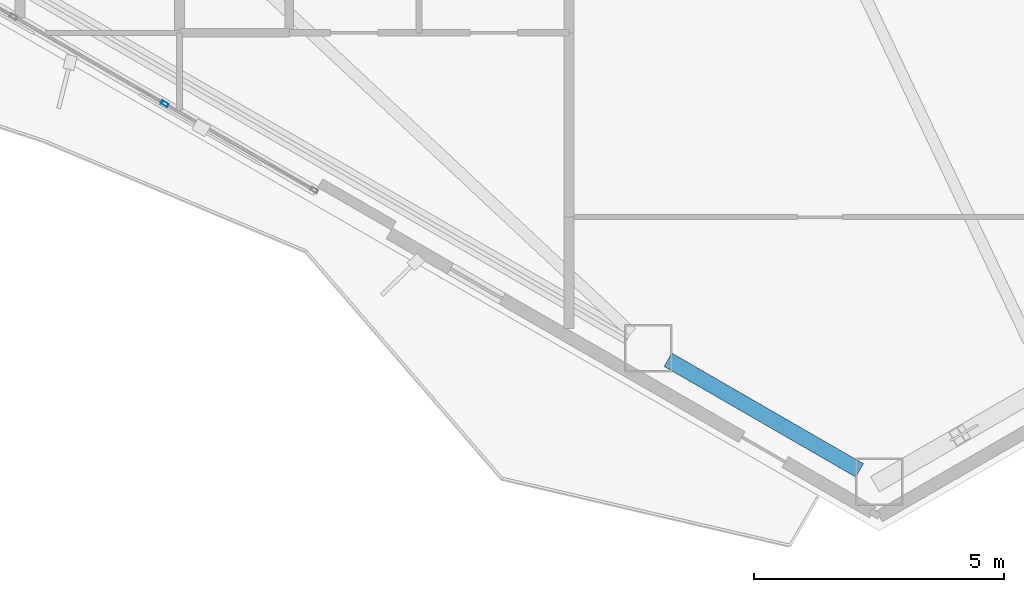
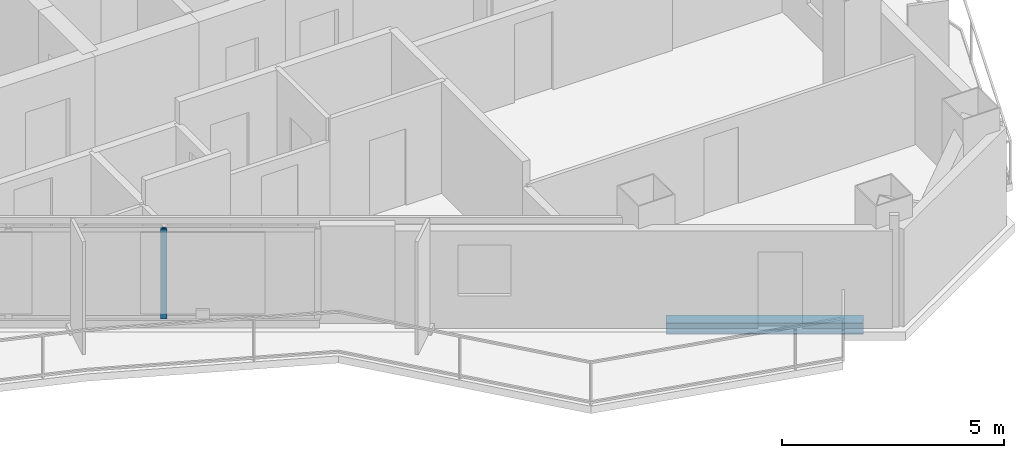
# One storey, part 3 of 18: 1 beam, 1 member, 1 element without a shape of its own.
"""IFC4 building model written with IfcOpenShell, lengths in metres."""

from ifc_helpers import new_model, si_unit, direction, frame, origin, origin_2d, place, context, subcontext, project, spatial, hollow_rectangle, i_section, extrude, material, layer, layer_set, material_profile, profile_set, type_object, element, aggregate, save


model = new_model("IFC4")

# Units and contexts
model_context = context("Model", 3, precision=1e-05, world=origin(), true_north=direction((0.0, 1.0)))
body_context = subcontext(model_context, "Body", "Model", "MODEL_VIEW")
ifc_project = project(units=[si_unit("LENGTHUNIT", "METRE"), si_unit("AREAUNIT", "SQUARE_METRE"), si_unit("VOLUMEUNIT", "CUBIC_METRE"), si_unit("PLANEANGLEUNIT", "RADIAN"), si_unit("MASSUNIT", "GRAM", prefix="KILO")], contexts=[model_context])

# Site, building, storey
site_placement = place(None, origin())
site = spatial("IfcSite", under=ifc_project, at=site_placement, CompositionType="ELEMENT")
building_placement = place(site_placement, origin())
building = spatial("IfcBuilding", under=site, at=building_placement, Name="Mersakhor Tower and Convention Hall", CompositionType="ELEMENT")
storey_placement = place(building_placement, frame((0.0, 0.0, 150.89990234375)))
storey = spatial("IfcBuildingStorey", under=building, at=storey_placement, Name="L42", CompositionType="ELEMENT", Elevation=150.89990234375)

# Beam
ifc_material_1 = material(Name="Steel S355", Category="steel")
ifc_material_profile_1 = material_profile(ifc_material_1, i_section(OverallWidth=0.30908203125, OverallDepth=0.320556640625, WebThickness=0.013916015625, FlangeThickness=0.021728515625, at=origin_2d()), Name="UC 305x305x137")
ifc_profile_set_1 = profile_set([ifc_material_profile_1], Name="Steel S355")
beam_type = type_object("IfcBeamType", Name="BM-SPD-UC305", PredefinedType="SPANDREL", material=ifc_profile_set_1)
beam_placement = place(storey_placement, frame((37.826416015625, 7.082763671875, -0.400146484375), z_axis=(-0.866038875684, 0.49997666526, 0.0), x_axis=(-0.49997666526, -0.866038875684, 0.0)))
element("IfcBeam", 1, at=beam_placement, inside=storey, type_object=beam_type, Name="L42 Perimeter Spandrel Beam SPB-09", PredefinedType="SPANDREL", context=body_context, shape_type="SweptSolid", body=[
    extrude(i_section(OverallWidth=0.30908203125, OverallDepth=0.320556640625, WebThickness=0.013916015625, FlangeThickness=0.021728515625, at=origin_2d()), origin(), (0.0, 0.0, 1.0), 4.433837890625),
])

# Curtain wall, member
ifc_material_2 = material(Name="Dark solar low-E aluminium curtain wall", Category="aluminium")
ifc_layer = layer(ifc_material_2, 0.169921875)
ifc_layer_set = layer_set([ifc_layer], Name="Dark solar low-E aluminium curtain wall")
curtain_wall_type = type_object("IfcCurtainWallType", Name="CW-SYS-02", PredefinedType="USERDEFINED", material=ifc_layer_set)
curtain_wall_placement = place(storey_placement, origin())
curtain_wall = element("IfcCurtainWall", 2, at=curtain_wall_placement, inside=storey, type_object=curtain_wall_type, Name="L42 Dark-Glass Curtain Wall F3-B2", ObjectType="CURTAIN WALL", PredefinedType="USERDEFINED")
ifc_material_3 = material(Name="Anodised aluminium EN AW-6063 T6", Category="aluminium")
ifc_material_profile_2 = material_profile(ifc_material_3, hollow_rectangle(XDim=0.074951171875, YDim=0.14990234375, WallThickness=0.00634765625, at=origin_2d()), Name="RHS 150x75x6.3")
ifc_profile_set_2 = profile_set([ifc_material_profile_2], Name="Anodised aluminium EN AW-6063 T6")
member_type = type_object("IfcMemberType", Name="CWM-150x75", PredefinedType="MULLION", material=ifc_profile_set_2)
member_placement = place(storey_placement, frame((23.904052734375, 14.427978515625, 0.2001953125), z_axis=(0.0, 0.0, 1.0), x_axis=(-0.499990468363, -0.866030906807, 0.0)))
member = element("IfcMember", 3, at=member_placement, type_object=member_type, Name="CW-02 mullion 2", PredefinedType="MULLION", context=body_context, shape_type="SweptSolid", body=[
    extrude(hollow_rectangle(XDim=0.074951171875, YDim=0.14990234375, WallThickness=0.00634765625, at=origin_2d()), origin(), (0.0, 0.0, 1.0), 2.47998046875),
])
aggregate(curtain_wall, [member])

save(model, "model.ifc")
